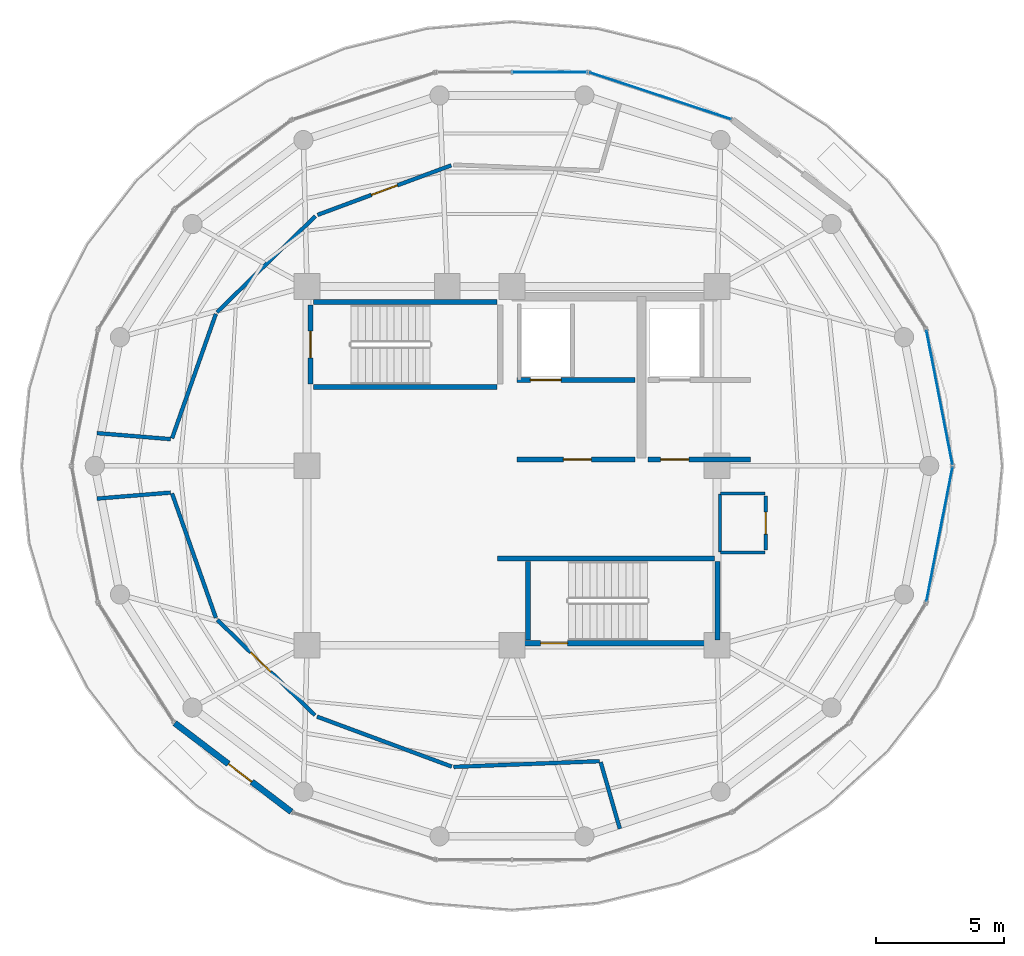
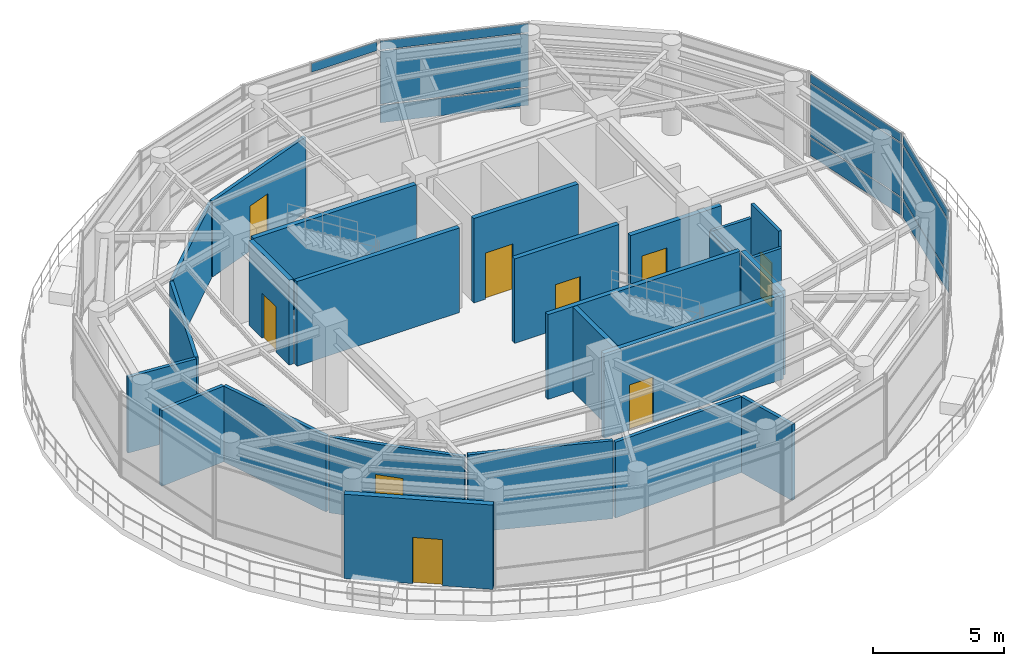
# One storey, part 17 of 20: 25 walls, 10 plates, 9 doors, 9 openings, 4 elements without a shape of their own.
"""IFC4 building model written with IfcOpenShell, lengths in metres."""

from ifc_helpers import new_model, si_unit, direction, frame, frame_2d, origin, origin_2d, place, context, subcontext, project, spatial, rectangle, extrude, source, transform, mapped, material, layer, layer_set, type_object, element, fill, aggregate, save


model = new_model("IFC4")

# Units and contexts
model_context = context("Model", 3, precision=1e-05, world=origin(), true_north=direction((0.0, 1.0)))
body_context = subcontext(model_context, "Body", "Model", "MODEL_VIEW")
ifc_project = project(units=[si_unit("LENGTHUNIT", "METRE"), si_unit("AREAUNIT", "SQUARE_METRE"), si_unit("VOLUMEUNIT", "CUBIC_METRE"), si_unit("PLANEANGLEUNIT", "RADIAN"), si_unit("MASSUNIT", "GRAM", prefix="KILO")], contexts=[model_context])

# Site, building, storey
site_placement = place(None, origin())
site = spatial("IfcSite", under=ifc_project, at=site_placement, CompositionType="ELEMENT")
building_placement = place(site_placement, origin())
building = spatial("IfcBuilding", under=site, at=building_placement, Name="Kelanora Arch Commons", CompositionType="ELEMENT")
storey_placement = place(building_placement, frame((0.0, 0.0, 298.5)))
storey = spatial("IfcBuildingStorey", under=building, at=storey_placement, Name="L76", CompositionType="ELEMENT", Elevation=298.5)

# Curtain wall, plate
ifc_material_1 = material(Name="Terracotta ceramic-fritted low-E glass and aluminium", Category="masonry")
ifc_layer_1 = layer(ifc_material_1, 0.14990234375)
ifc_layer_set_1 = layer_set([ifc_layer_1], Name="Terracotta ceramic-fritted low-E glass and aluminium")
curtain_wall_type = type_object("IfcCurtainWallType", Name="CW-SYS-06", PredefinedType="NOTDEFINED", material=ifc_layer_set_1)
curtain_wall_1_placement = place(storey_placement, origin())
curtain_wall_1 = element("IfcCurtainWall", 1, at=curtain_wall_1_placement, inside=storey, type_object=curtain_wall_type, Name="Unitised Curtain Wall L76-B00", PredefinedType="NOTDEFINED")
ifc_material_2 = material(Name="Terracotta ceramic-fritted double glazing", Category="masonry")
ifc_layer_2 = layer(ifc_material_2, 0.028076171875)
ifc_layer_set_2 = layer_set([ifc_layer_2], Name="Terracotta ceramic-fritted double glazing")
plate_type = type_object("IfcPlateType", Name="CWP-FRIT", PredefinedType="CURTAIN_PANEL", material=ifc_layer_set_2)
shared_shape_1 = source(origin(), body_context, "Body", "SweptSolid", [
    extrude(rectangle(XDim=5.285400390625, YDim=0.028076171875, at=origin_2d()), origin(), (0.0, 0.0, 1.0), 0.81005859375),
])
plate_1_placement = place(storey_placement, frame((90.681396484375, 60.667724609375, 0.06005859375), z_axis=(0.0, 0.0, 1.0), x_axis=(-0.190826579571, 0.981623765263, 0.0)))
plate_1 = element("IfcPlate", 2, at=plate_1_placement, type_object=plate_type, Name="CW-06 panel 1.1", PredefinedType="CURTAIN_PANEL", context=body_context, shape_type="MappedRepresentation", body=[
    mapped(shared_shape_1, transform((0.0, 0.0, 0.0), scale=1.0)),
])

curtain_wall_2_placement = place(storey_placement, origin())
curtain_wall_2 = element("IfcCurtainWall", 3, at=curtain_wall_2_placement, inside=storey, type_object=curtain_wall_type, Name="Unitised Curtain Wall L76-B17", PredefinedType="NOTDEFINED")
plate_2_placement = place(storey_placement, frame((90.681396484375, 55.332275390625, 0.06005859375), z_axis=(0.0, 0.0, 1.0), x_axis=(0.190826579571, 0.981623765263, 0.0)))
plate_2 = element("IfcPlate", 4, at=plate_2_placement, type_object=plate_type, Name="CW-06 panel 1.1", PredefinedType="CURTAIN_PANEL", context=body_context, shape_type="MappedRepresentation", body=[
    mapped(shared_shape_1, transform((0.0, 0.0, 0.0), scale=1.0)),
])

# Plate
shared_shape_2 = source(origin(), body_context, "Body", "SweptSolid", [
    extrude(rectangle(XDim=5.285400390625, YDim=0.028076171875, at=origin_2d()), origin(), (0.0, 0.0, 1.0), 2.465087890625),
])
plate_3_placement = place(storey_placement, frame((90.681396484375, 60.667724609375, 0.93017578125), z_axis=(0.0, 0.0, 1.0), x_axis=(-0.190826579571, 0.981623765263, 0.0)))
plate_3 = element("IfcPlate", 5, at=plate_3_placement, type_object=plate_type, Name="CW-06 panel 1.2", PredefinedType="CURTAIN_PANEL", context=body_context, shape_type="MappedRepresentation", body=[
    mapped(shared_shape_2, transform((0.0, 0.0, 0.0), scale=1.0)),
])

plate_4_placement = place(storey_placement, frame((90.681396484375, 55.332275390625, 0.93017578125), z_axis=(0.0, 0.0, 1.0), x_axis=(0.190826579571, 0.981623765263, 0.0)))
plate_4 = element("IfcPlate", 6, at=plate_4_placement, type_object=plate_type, Name="CW-06 panel 1.2", PredefinedType="CURTAIN_PANEL", context=body_context, shape_type="MappedRepresentation", body=[
    mapped(shared_shape_2, transform((0.0, 0.0, 0.0), scale=1.0)),
])

shared_shape_3 = source(origin(), body_context, "Body", "SweptSolid", [
    extrude(rectangle(XDim=5.285400390625, YDim=0.028076171875, at=origin_2d()), origin(), (0.0, 0.0, 1.0), 0.409912109375),
])
plate_5_placement = place(storey_placement, frame((90.681396484375, 60.667724609375, 3.455078125), z_axis=(0.0, 0.0, 1.0), x_axis=(-0.190826579571, 0.981623765263, 0.0)))
plate_5 = element("IfcPlate", 7, at=plate_5_placement, type_object=plate_type, Name="CW-06 panel 1.3", PredefinedType="CURTAIN_PANEL", context=body_context, shape_type="MappedRepresentation", body=[
    mapped(shared_shape_3, transform((0.0, 0.0, 0.0), scale=1.0)),
])

aggregate(curtain_wall_1, [plate_1, plate_3, plate_5])

plate_6_placement = place(storey_placement, frame((90.681396484375, 55.332275390625, 3.455078125), z_axis=(0.0, 0.0, 1.0), x_axis=(0.190826579571, 0.981623765263, 0.0)))
plate_6 = element("IfcPlate", 8, at=plate_6_placement, type_object=plate_type, Name="CW-06 panel 1.3", PredefinedType="CURTAIN_PANEL", context=body_context, shape_type="MappedRepresentation", body=[
    mapped(shared_shape_3, transform((0.0, 0.0, 0.0), scale=1.0)),
])

aggregate(curtain_wall_2, [plate_2, plate_4, plate_6])

# Curtain wall, plates
curtain_wall_3_placement = place(storey_placement, origin())
curtain_wall_3 = element("IfcCurtainWall", 9, at=curtain_wall_3_placement, inside=storey, type_object=curtain_wall_type, Name="Unitised Curtain Wall L76-B03", PredefinedType="NOTDEFINED")
shared_shape_4 = source(origin(), body_context, "Body", "SweptSolid", [
    extrude(rectangle(XDim=5.76123046875, YDim=0.028076171875, at=origin_2d()), origin(), (0.0, 0.0, 1.0), 0.81005859375),
])
plate_7_placement = place(storey_placement, frame((79.79345703125, 72.4365234375, 0.06005859375), z_axis=(0.0, 0.0, 1.0), x_axis=(-0.949599145368, 0.313466845323, 0.0)))
plate_7 = element("IfcPlate", 10, at=plate_7_placement, type_object=plate_type, Name="CW-06 panel 1.1", PredefinedType="CURTAIN_PANEL", context=body_context, shape_type="MappedRepresentation", body=[
    mapped(shared_shape_4, transform((0.0, 0.0, 0.0), scale=1.0)),
])
shared_shape_5 = source(origin(), body_context, "Body", "SweptSolid", [
    extrude(rectangle(XDim=5.76123046875, YDim=0.028076171875, at=origin_2d()), origin(), (0.0, 0.0, 1.0), 2.465087890625),
])
plate_8_placement = place(storey_placement, frame((79.79345703125, 72.4365234375, 0.93017578125), z_axis=(0.0, 0.0, 1.0), x_axis=(-0.949599145368, 0.313466845323, 0.0)))
plate_8 = element("IfcPlate", 11, at=plate_8_placement, type_object=plate_type, Name="CW-06 panel 1.2", PredefinedType="CURTAIN_PANEL", context=body_context, shape_type="MappedRepresentation", body=[
    mapped(shared_shape_5, transform((0.0, 0.0, 0.0), scale=1.0)),
])
shared_shape_6 = source(origin(), body_context, "Body", "SweptSolid", [
    extrude(rectangle(XDim=5.76123046875, YDim=0.028076171875, at=origin_2d()), origin(), (0.0, 0.0, 1.0), 0.409912109375),
])
plate_9_placement = place(storey_placement, frame((79.79345703125, 72.4365234375, 3.455078125), z_axis=(0.0, 0.0, 1.0), x_axis=(-0.949599145368, 0.313466845323, 0.0)))
plate_9 = element("IfcPlate", 12, at=plate_9_placement, type_object=plate_type, Name="CW-06 panel 1.3", PredefinedType="CURTAIN_PANEL", context=body_context, shape_type="MappedRepresentation", body=[
    mapped(shared_shape_6, transform((0.0, 0.0, 0.0), scale=1.0)),
])
aggregate(curtain_wall_3, [plate_7, plate_8, plate_9])

# Curtain wall, plate
curtain_wall_4_placement = place(storey_placement, origin())
curtain_wall_4 = element("IfcCurtainWall", 13, at=curtain_wall_4_placement, inside=storey, type_object=curtain_wall_type, Name="Unitised Curtain Wall L76-B04", PredefinedType="NOTDEFINED")
shared_shape_7 = source(origin(), body_context, "Body", "SweptSolid", [
    extrude(rectangle(XDim=2.881591796875, YDim=0.028076171875, at=origin_2d()), origin(), (0.0, 0.0, 1.0), 0.409912109375),
])
plate_10_placement = place(storey_placement, frame((75.470947265625, 73.363037109375, 3.455078125), z_axis=(0.0, 0.0, 1.0), x_axis=(-1.0, 0.0, 0.0)))
plate_10 = element("IfcPlate", 14, at=plate_10_placement, type_object=plate_type, Name="CW-06 panel 1.3", PredefinedType="CURTAIN_PANEL", context=body_context, shape_type="MappedRepresentation", body=[
    mapped(shared_shape_7, transform((0.0, 0.0, 0.0), scale=1.0)),
])
aggregate(curtain_wall_4, [plate_10])

# Wall, opening, door
ifc_material_3 = material(Name="Autoclaved aerated concrete blockwork with fire plaster", Category="masonry")
ifc_layer_3 = layer(ifc_material_3, 0.14990234375)
ifc_layer_set_3 = layer_set([ifc_layer_3], Name="Autoclaved aerated concrete blockwork with fire plaster")
wall_type_1 = type_object("IfcWallType", Name="W-COMP-150", PredefinedType="PARTITIONING", material=ifc_layer_set_3)
wall_1_placement = place(storey_placement, frame((71.628662109375, 69.72802734375, 0.0), z_axis=(0.0, 0.0, 1.0), x_axis=(-0.937610047719, -0.34768865155, 0.0)))
wall_1 = element("IfcWall", 15, at=wall_1_placement, inside=storey, type_object=wall_type_1, Name="Crown Chiller and Cooling Tower Plant Room L76 Entry Partition", PredefinedType="PARTITIONING", context=body_context, shape_type="SweptSolid", body=[
    extrude(rectangle(XDim=5.5654296875, YDim=0.14990234375, at=frame_2d((2.78271484375, 0.0))), origin(), (0.0, 0.0, 1.0), 3.52490234375),
])
opening_1_placement = place(wall_1_placement, frame((2.242919921875, 0.0, 0.0)))
opening_1 = element("IfcOpeningElement", 16, at=opening_1_placement, cuts=wall_1, Name="Opening D-PLT1", PredefinedType="OPENING", context=body_context, shape_type="SweptSolid", body=[
    extrude(rectangle(XDim=1.080078125, YDim=2.10009765625, at=frame_2d((0.5400390625, 1.050048828125))), frame((0.0, 0.0849609375, 0.0), z_axis=(0.0, -1.0, 0.0), x_axis=(1.0, 0.0, 0.0)), (0.0, 0.0, 1.0), 0.169921875),
])
ifc_material_4 = material(Name="Galvanised steel plant and riser fire door", Category="steel")
door_type_1 = type_object("IfcDoorType", Name="D-PLT-110", OperationType="NOTDEFINED", PredefinedType="DOOR", material=ifc_material_4)
door_1_placement = place(opening_1_placement, origin())
door_1 = element("IfcDoor", 17, at=door_1_placement, inside=storey, type_object=door_type_1, Name="Crown Chiller and Cooling Tower Plant Room L76 Door", OperationType="SINGLE_SWING_RIGHT", OverallHeight=2.10009765625, OverallWidth=1.080078125, PredefinedType="DOOR", context=body_context, shape_type="SweptSolid", body=[
    extrude(rectangle(XDim=1.080078125, YDim=2.10009765625, at=frame_2d((0.5400390625, 1.050048828125))), frame((0.0, 0.02490234375, 0.0), z_axis=(0.0, -1.0, 0.0), x_axis=(1.0, 0.0, 0.0)), (0.0, 0.0, 1.0), 0.050048828125),
])
fill(opening_1, door_1)

wall_2_placement = place(storey_placement, frame((62.498779296875, 51.9931640625, 0.0), z_axis=(0.0, 0.0, 1.0), x_axis=(0.71541878573, -0.698695900249, 0.0)))
wall_2 = element("IfcWall", 18, at=wall_2_placement, inside=storey, type_object=wall_type_1, Name="Broadcast Transmitter and Machine Plant Room L76 Entry Partition", PredefinedType="PARTITIONING", context=body_context, shape_type="SweptSolid", body=[
    extrude(rectangle(XDim=5.32861328125, YDim=0.14990234375, at=frame_2d((2.664306640625, 0.0))), origin(), (0.0, 0.0, 1.0), 3.52490234375),
])
opening_2_placement = place(wall_2_placement, frame((1.823974609375, 0.0, 0.0)))
opening_2 = element("IfcOpeningElement", 19, at=opening_2_placement, cuts=wall_2, Name="Opening D-PLT1", PredefinedType="OPENING", context=body_context, shape_type="SweptSolid", body=[
    extrude(rectangle(XDim=1.080078125, YDim=2.10009765625, at=frame_2d((0.5400390625, 1.050048828125))), frame((0.0, 0.0849609375, 0.0), z_axis=(0.0, -1.0, 0.0), x_axis=(1.0, 0.0, 0.0)), (0.0, 0.0, 1.0), 0.169921875),
])
door_2_placement = place(opening_2_placement, origin())
door_2 = element("IfcDoor", 20, at=door_2_placement, inside=storey, type_object=door_type_1, Name="Broadcast Transmitter and Machine Plant Room L76 Door", OperationType="SINGLE_SWING_LEFT", OverallHeight=2.10009765625, OverallWidth=1.080078125, PredefinedType="DOOR", context=body_context, shape_type="SweptSolid", body=[
    extrude(rectangle(XDim=1.080078125, YDim=2.10009765625, at=frame_2d((0.5400390625, 1.050048828125))), frame((0.0, 0.02490234375, 0.0), z_axis=(0.0, -1.0, 0.0), x_axis=(1.0, 0.0, 0.0)), (0.0, 0.0, 1.0), 0.050048828125),
])
fill(opening_2, door_2)

# Walls
wall_3_placement = place(storey_placement, frame((66.325439453125, 67.744140625, 0.0), z_axis=(0.0, 0.0, 1.0), x_axis=(-0.715402081333, -0.698713004047, 0.0)))
element("IfcWall", 21, at=wall_3_placement, inside=storey, type_object=wall_type_1, Name="Crown Chiller and Cooling Tower Plant Room L76 Enclosure Partition 3", PredefinedType="PARTITIONING", context=body_context, shape_type="SweptSolid", body=[
    extrude(rectangle(XDim=5.36865234375, YDim=0.14990234375, at=frame_2d((2.684326171875, 0.0))), origin(), (0.0, 0.0, 1.0), 3.52490234375),
])
wall_4_placement = place(storey_placement, frame((62.442626953125, 63.92724609375, 0.0), z_axis=(0.0, 0.0, 1.0), x_axis=(-0.332236382146, -0.943196154773, 0.0)))
element("IfcWall", 22, at=wall_4_placement, inside=storey, type_object=wall_type_1, Name="Crown Chiller and Cooling Tower Plant Room L76 Enclosure Partition 4", PredefinedType="PARTITIONING", context=body_context, shape_type="SweptSolid", body=[
    extrude(rectangle(XDim=5.1416015625, YDim=0.14990234375, at=frame_2d((2.57080078125, 0.0))), origin(), (0.0, 0.0, 1.0), 3.52490234375),
])
wall_5_placement = place(storey_placement, frame((60.68115234375, 59.043212890625, 0.0), z_axis=(0.0, 0.0, 1.0), x_axis=(-0.996696214814, 0.081219796696, 0.0)))
element("IfcWall", 23, at=wall_5_placement, inside=storey, type_object=wall_type_1, Name="Crown Chiller and Cooling Tower Plant Room L76 Enclosure Partition 5", PredefinedType="PARTITIONING", context=body_context, shape_type="SweptSolid", body=[
    extrude(rectangle(XDim=2.888671875, YDim=0.14990234375, at=frame_2d((1.4443359375, 0.0))), origin(), (0.0, 0.0, 1.0), 3.52490234375),
])
wall_6_placement = place(storey_placement, frame((60.734375, 56.92236328125, 0.0), z_axis=(0.0, 0.0, 1.0), x_axis=(0.332236382146, -0.943196154773, 0.0)))
element("IfcWall", 24, at=wall_6_placement, inside=storey, type_object=wall_type_1, Name="Broadcast Transmitter and Machine Plant Room L76 Enclosure Partition 1", PredefinedType="PARTITIONING", context=body_context, shape_type="SweptSolid", body=[
    extrude(rectangle(XDim=5.1416015625, YDim=0.14990234375, at=frame_2d((2.57080078125, 0.0))), origin(), (0.0, 0.0, 1.0), 3.52490234375),
])
wall_7_placement = place(storey_placement, frame((66.3916015625, 48.214111328125, 0.0), z_axis=(0.0, 0.0, 1.0), x_axis=(0.937597367655, -0.347722843894, 0.0)))
element("IfcWall", 25, at=wall_7_placement, inside=storey, type_object=wall_type_1, Name="Broadcast Transmitter and Machine Plant Room L76 Enclosure Partition 3", PredefinedType="PARTITIONING", context=body_context, shape_type="SweptSolid", body=[
    extrude(rectangle(XDim=5.605712890625, YDim=0.14990234375, at=frame_2d((2.802734375, 0.0))), origin(), (0.0, 0.0, 1.0), 3.625),
])
wall_8_placement = place(storey_placement, frame((71.72509765625, 46.252685546875, 0.0), z_axis=(0.0, 0.0, 1.0), x_axis=(0.999233860457, 0.03913683834, 0.0)))
element("IfcWall", 26, at=wall_8_placement, inside=storey, type_object=wall_type_1, Name="Broadcast Transmitter and Machine Plant Room L76 Enclosure Partition 4", PredefinedType="PARTITIONING", context=body_context, shape_type="SweptSolid", body=[
    extrude(rectangle(XDim=5.689208984375, YDim=0.14990234375, at=frame_2d((2.8447265625, 0.0))), origin(), (0.0, 0.0, 1.0), 3.52490234375),
])
wall_9_placement = place(storey_placement, frame((77.4609375, 46.438720703125, 0.0), z_axis=(0.0, 0.0, 1.0), x_axis=(0.276223004297, -0.961093570833, 0.0)))
element("IfcWall", 27, at=wall_9_placement, inside=storey, type_object=wall_type_1, Name="Broadcast Transmitter and Machine Plant Room L76 Enclosure Partition 5", PredefinedType="PARTITIONING", context=body_context, shape_type="SweptSolid", body=[
    extrude(rectangle(XDim=2.70458984375, YDim=0.14990234375, at=frame_2d((1.352294921875, 0.0))), origin(), (0.0, 0.0, 1.0), 3.52490234375),
])
wall_10_placement = place(storey_placement, frame((57.802001953125, 56.72216796875, 0.0), z_axis=(0.0, 0.0, 1.0), x_axis=(0.996696214814, 0.081219796696, 0.0)))
element("IfcWall", 28, at=wall_10_placement, inside=storey, type_object=wall_type_1, Name="Broadcast Transmitter and Machine Plant Room L76 Enclosure Partition 10", PredefinedType="PARTITIONING", context=body_context, shape_type="SweptSolid", body=[
    extrude(rectangle(XDim=2.888671875, YDim=0.14990234375, at=frame_2d((1.4443359375, 0.0))), origin(), (0.0, 0.0, 1.0), 3.52490234375),
])

# Wall, opening, door
ifc_material_5 = material(Name="Precast concrete C40/50 upper-zone terracotta rainscreen", Category="masonry")
ifc_layer_4 = layer(ifc_material_5, 0.239990234375)
ifc_layer_set_4 = layer_set([ifc_layer_4], Name="Precast concrete C40/50 upper-zone terracotta rainscreen")
wall_type_2 = type_object("IfcWallType", Name="W-EXT-TC2", PredefinedType="SOLIDWALL", material=ifc_layer_set_4)
wall_11_placement = place(storey_placement, frame((60.8359375, 47.96337890625, 0.0), z_axis=(0.0, 0.0, 1.0), x_axis=(0.795770568915, -0.605598218004, 0.0)))
wall_11 = element("IfcWall", 29, at=wall_11_placement, inside=storey, type_object=wall_type_2, Name="Terracotta Exterior Wall L76-B11", PredefinedType="SOLIDWALL", context=body_context, shape_type="SweptSolid", body=[
    extrude(rectangle(XDim=5.720458984375, YDim=0.239990234375, at=frame_2d((2.8603515625, 0.0))), origin(), (0.0, 0.0, 1.0), 3.925048828125),
])
opening_3_placement = place(wall_11_placement, frame((2.635009765625, 0.0, 0.0)))
opening_3 = element("IfcOpeningElement", 30, at=opening_3_placement, cuts=wall_11, Name="Opening DT-01", PredefinedType="OPENING", context=body_context, shape_type="SweptSolid", body=[
    extrude(rectangle(XDim=1.14990234375, YDim=2.14990234375, at=frame_2d((0.574951171875, 1.074951171875))), frame((0.0, 0.1298828125, 0.0), z_axis=(0.0, -1.0, 0.0), x_axis=(1.0, 0.0, 0.0)), (0.0, 0.0, 1.0), 0.260009765625),
])
ifc_material_6 = material(Name="Weather-sealed aluminium terrace door", Category="aluminium")
door_type_2 = type_object("IfcDoorType", Name="D-TERR-12", OperationType="NOTDEFINED", PredefinedType="DOOR", material=ifc_material_6)
door_3_placement = place(opening_3_placement, frame((1.14990234375, 0.0, 0.0), z_axis=(0.0, 0.0, 1.0), x_axis=(-1.0, 0.0, 0.0)))
door_3 = element("IfcDoor", 31, at=door_3_placement, inside=storey, type_object=door_type_2, Name="Sky-Terrace Access Door L76-B11", OperationType="SINGLE_SWING_RIGHT", OverallHeight=2.14990234375, OverallWidth=1.14990234375, PredefinedType="DOOR", context=body_context, shape_type="SweptSolid", body=[
    extrude(rectangle(XDim=1.14990234375, YDim=2.14990234375, at=frame_2d((0.574951171875, 1.074951171875))), frame((0.0, 0.02490234375, 0.0), z_axis=(0.0, -1.0, 0.0), x_axis=(1.0, 0.0, 0.0)), (0.0, 0.0, 1.0), 0.050048828125),
])
fill(opening_3, door_3)

ifc_material_7 = material(Name="Concrete C40/50", Category="concrete")
ifc_layer_5 = layer(ifc_material_7, 0.199951171875)
ifc_layer_set_5 = layer_set([ifc_layer_5], Name="Concrete C40/50")
wall_type_3 = type_object("IfcWallType", Name="W-FFL-200", PredefinedType="SOLIDWALL", material=ifc_layer_set_5)
wall_12_placement = place(storey_placement, frame((74.199951171875, 61.35009765625, 0.0), z_axis=(0.0, 0.0, 1.0), x_axis=(1.0, 0.0, 0.0)))
wall_12 = element("IfcWall", 32, at=wall_12_placement, inside=storey, type_object=wall_type_3, Name="Firefighting Lift 1 Shaft Front L76", PredefinedType="SOLIDWALL", context=body_context, shape_type="SweptSolid", body=[
    extrude(rectangle(XDim=4.60009765625, YDim=0.199951171875, at=frame_2d((2.300048828125, 0.0))), origin(), (0.0, 0.0, 1.0), 3.929931640625),
])
opening_4_placement = place(wall_12_placement, frame((0.52001953125, 0.0, 0.0)))
opening_4 = element("IfcOpeningElement", 33, at=opening_4_placement, cuts=wall_12, Name="Opening LD-FF", PredefinedType="OPENING", context=body_context, shape_type="SweptSolid", body=[
    extrude(rectangle(XDim=1.199951171875, YDim=2.14990234375, at=frame_2d((0.60009765625, 1.074951171875))), frame((0.0, 0.10986328125, 0.0), z_axis=(0.0, -1.0, 0.0), x_axis=(1.0, 0.0, 0.0)), (0.0, 0.0, 1.0), 0.219970703125),
])
ifc_material_8 = material(Name="Fire-rated firefighters lift sliding landing door")
door_type_3 = type_object("IfcDoorType", Name="D-LIFT-FF", OperationType="NOTDEFINED", PredefinedType="DOOR", material=ifc_material_8)
door_4_placement = place(opening_4_placement, origin())
door_4 = element("IfcDoor", 34, at=door_4_placement, inside=storey, type_object=door_type_3, Name="Firefighting Lift LF-FF1 Landing Door L76", OperationType="DOUBLE_DOOR_SLIDING", OverallHeight=2.14990234375, OverallWidth=1.199951171875, PredefinedType="DOOR", context=body_context, shape_type="SweptSolid", body=[
    extrude(rectangle(XDim=1.199951171875, YDim=2.14990234375, at=frame_2d((0.60009765625, 1.074951171875))), frame((0.0, 0.02490234375, 0.0), z_axis=(0.0, -1.0, 0.0), x_axis=(1.0, 0.0, 0.0)), (0.0, 0.0, 1.0), 0.050048828125),
])
fill(opening_4, door_4)

wall_13_placement = place(storey_placement, frame((74.199951171875, 58.25, 0.0), z_axis=(0.0, 0.0, 1.0), x_axis=(1.0, 0.0, 0.0)))
wall_13 = element("IfcWall", 35, at=wall_13_placement, inside=storey, type_object=wall_type_3, Name="Firefighting Lobby 1 Enclosure Wall L76", PredefinedType="SOLIDWALL", context=body_context, shape_type="SweptSolid", body=[
    extrude(rectangle(XDim=4.60009765625, YDim=0.199951171875, at=frame_2d((2.300048828125, 0.0))), origin(), (0.0, 0.0, 1.0), 3.929931640625),
])
opening_5_placement = place(wall_13_placement, frame((1.800048828125, 0.0, 0.0)))
opening_5 = element("IfcOpeningElement", 36, at=opening_5_placement, cuts=wall_13, Name="Opening D-FFL1", PredefinedType="OPENING", context=body_context, shape_type="SweptSolid", body=[
    extrude(rectangle(XDim=1.10009765625, YDim=2.10009765625, at=frame_2d((0.550048828125, 1.050048828125))), frame((0.0, 0.10986328125, 0.0), z_axis=(0.0, -1.0, 0.0), x_axis=(1.0, 0.0, 0.0)), (0.0, 0.0, 1.0), 0.219970703125),
])
ifc_material_9 = material(Name="Smoke-sealed firefighting lobby fire door")
door_type_4 = type_object("IfcDoorType", Name="D-FFL-110", OperationType="NOTDEFINED", PredefinedType="DOOR", material=ifc_material_9)
door_5_placement = place(opening_5_placement, frame((1.10009765625, 0.0, 0.0), z_axis=(0.0, 0.0, 1.0), x_axis=(-1.0, 0.0, 0.0)))
door_5 = element("IfcDoor", 37, at=door_5_placement, inside=storey, type_object=door_type_4, Name="Firefighting Lobby 1 Door L76", OperationType="SINGLE_SWING_LEFT", OverallHeight=2.10009765625, OverallWidth=1.10009765625, PredefinedType="DOOR", context=body_context, shape_type="SweptSolid", body=[
    extrude(rectangle(XDim=1.10009765625, YDim=2.10009765625, at=frame_2d((0.550048828125, 1.050048828125))), frame((0.0, 0.02490234375, 0.0), z_axis=(0.0, -1.0, 0.0), x_axis=(1.0, 0.0, 0.0)), (0.0, 0.0, 1.0), 0.050048828125),
])
fill(opening_5, door_5)

wall_14_placement = place(storey_placement, frame((79.300048828125, 58.25, 0.0), z_axis=(0.0, 0.0, 1.0), x_axis=(1.0, 0.0, 0.0)))
wall_14 = element("IfcWall", 38, at=wall_14_placement, inside=storey, type_object=wall_type_3, Name="Firefighting Lobby 2 Enclosure Wall L76", PredefinedType="SOLIDWALL", context=body_context, shape_type="SweptSolid", body=[
    extrude(rectangle(XDim=4.0, YDim=0.199951171875, at=frame_2d((2.0, 0.0))), origin(), (0.0, 0.0, 1.0), 3.22509765625),
])
opening_6_placement = place(wall_14_placement, frame((0.5, 0.0, 0.0)))
opening_6 = element("IfcOpeningElement", 39, at=opening_6_placement, cuts=wall_14, Name="Opening D-FFL1", PredefinedType="OPENING", context=body_context, shape_type="SweptSolid", body=[
    extrude(rectangle(XDim=1.10009765625, YDim=2.10009765625, at=frame_2d((0.550048828125, 1.050048828125))), frame((0.0, 0.10986328125, 0.0), z_axis=(0.0, -1.0, 0.0), x_axis=(1.0, 0.0, 0.0)), (0.0, 0.0, 1.0), 0.219970703125),
])
door_6_placement = place(opening_6_placement, frame((1.10009765625, 0.0, 0.0), z_axis=(0.0, 0.0, 1.0), x_axis=(-1.0, 0.0, 0.0)))
door_6 = element("IfcDoor", 40, at=door_6_placement, inside=storey, type_object=door_type_4, Name="Firefighting Lobby 2 Door L76", OperationType="SINGLE_SWING_RIGHT", OverallHeight=2.10009765625, OverallWidth=1.10009765625, PredefinedType="DOOR", context=body_context, shape_type="SweptSolid", body=[
    extrude(rectangle(XDim=1.10009765625, YDim=2.10009765625, at=frame_2d((0.550048828125, 1.050048828125))), frame((0.0, 0.02490234375, 0.0), z_axis=(0.0, -1.0, 0.0), x_axis=(1.0, 0.0, 0.0)), (0.0, 0.0, 1.0), 0.050048828125),
])
fill(opening_6, door_6)

# Walls
ifc_layer_6 = layer(ifc_material_7, 0.199951171875)
ifc_layer_set_6 = layer_set([ifc_layer_6], Name="Concrete C40/50")
wall_type_4 = type_object("IfcWallType", Name="W-STAIR-200", PredefinedType="SHEAR", material=ifc_layer_set_6)
for number, where, z_axis, x_axis, name in (
    (41, (66.260009765625, 61.080078125, 0.0), (0.0, 0.0, 1.0), (1.0, 0.0, 0.0), "Stair ST-T1 Shaft Wall S L76"),
    (42, (73.419921875, 64.389892578125, 0.0), (0.0, 0.0, 1.0), (-1.0, 0.0, 0.0), "Stair ST-T1 Shaft Wall N L76"),
):
    element("IfcWall", number, at=place(storey_placement, frame(where, z_axis=z_axis, x_axis=x_axis)), inside=storey, type_object=wall_type_4, Name=name, PredefinedType="SHEAR", context=body_context, shape_type="SweptSolid", body=[
        extrude(rectangle(XDim=7.159912109375, YDim=0.199951171875, at=frame_2d((3.580078125, 0.0))), origin(), (0.0, 0.0, 1.0), 3.93994140625),
    ])

# Wall, opening, door
wall_15_placement = place(storey_placement, frame((66.139892578125, 64.27001953125, 0.0), z_axis=(0.0, 0.0, 1.0), x_axis=(0.0, -1.0, 0.0)))
wall_15 = element("IfcWall", 43, at=wall_15_placement, inside=storey, type_object=wall_type_4, Name="Stair ST-T1 Shaft Wall W L76", PredefinedType="SHEAR", context=body_context, shape_type="SweptSolid", body=[
    extrude(rectangle(XDim=3.070068359375, YDim=0.199951171875, at=frame_2d((1.53515625, 0.0))), origin(), (0.0, 0.0, 1.0), 3.93994140625),
])
opening_7_placement = place(wall_15_placement, frame((1.010009765625, 0.0, 0.0)))
opening_7 = element("IfcOpeningElement", 44, at=opening_7_placement, cuts=wall_15, Name="Opening D-ST1", PredefinedType="OPENING", context=body_context, shape_type="SweptSolid", body=[
    extrude(rectangle(XDim=1.050048828125, YDim=2.10009765625, at=frame_2d((0.52490234375, 1.050048828125))), frame((0.0, 0.10986328125, 0.0), z_axis=(0.0, -1.0, 0.0), x_axis=(1.0, 0.0, 0.0)), (0.0, 0.0, 1.0), 0.219970703125),
])
ifc_material_10 = material(Name="Steel fire-rated stairwell escape door", Category="steel")
door_type_5 = type_object("IfcDoorType", Name="D-STAIR-110", OperationType="NOTDEFINED", PredefinedType="DOOR", material=ifc_material_10)
door_7_placement = place(opening_7_placement, origin())
door_7 = element("IfcDoor", 45, at=door_7_placement, inside=storey, type_object=door_type_5, Name="Stair ST-T1 Escape Door L76", OperationType="SINGLE_SWING_LEFT", OverallHeight=2.10009765625, OverallWidth=1.050048828125, PredefinedType="DOOR", context=body_context, shape_type="SweptSolid", body=[
    extrude(rectangle(XDim=1.050048828125, YDim=2.10009765625, at=frame_2d((0.52490234375, 1.050048828125))), frame((0.0, 0.02490234375, 0.0), z_axis=(0.0, -1.0, 0.0), x_axis=(1.0, 0.0, 0.0)), (0.0, 0.0, 1.0), 0.050048828125),
])
fill(opening_7, door_7)

wall_16_placement = place(storey_placement, frame((74.0, 51.080078125, 0.0), z_axis=(0.0, 0.0, 1.0), x_axis=(1.0, 0.0, 0.0)))
wall_16 = element("IfcWall", 46, at=wall_16_placement, inside=storey, type_object=wall_type_4, Name="Stair ST-T2 Shaft Wall S L76", PredefinedType="SHEAR", context=body_context, shape_type="SweptSolid", body=[
    extrude(rectangle(XDim=7.89990234375, YDim=0.199951171875, at=frame_2d((3.949951171875, 0.0))), origin(), (0.0, 0.0, 1.0), 3.93994140625),
])
opening_8_placement = place(wall_16_placement, frame((1.1201171875, 0.0, 0.0)))
opening_8 = element("IfcOpeningElement", 47, at=opening_8_placement, cuts=wall_16, Name="Opening D-ST1", PredefinedType="OPENING", context=body_context, shape_type="SweptSolid", body=[
    extrude(rectangle(XDim=1.050048828125, YDim=2.10009765625, at=frame_2d((0.52490234375, 1.050048828125))), frame((0.0, 0.10986328125, 0.0), z_axis=(0.0, -1.0, 0.0), x_axis=(1.0, 0.0, 0.0)), (0.0, 0.0, 1.0), 0.219970703125),
])
door_8_placement = place(opening_8_placement, origin())
door_8 = element("IfcDoor", 48, at=door_8_placement, inside=storey, type_object=door_type_5, Name="Stair ST-T2 Escape Door L76", OperationType="SINGLE_SWING_LEFT", OverallHeight=2.10009765625, OverallWidth=1.050048828125, PredefinedType="DOOR", context=body_context, shape_type="SweptSolid", body=[
    extrude(rectangle(XDim=1.050048828125, YDim=2.10009765625, at=frame_2d((0.52490234375, 1.050048828125))), frame((0.0, 0.02490234375, 0.0), z_axis=(0.0, -1.0, 0.0), x_axis=(1.0, 0.0, 0.0)), (0.0, 0.0, 1.0), 0.050048828125),
])
fill(opening_8, door_8)

# Walls
wall_17_placement = place(storey_placement, frame((82.02001953125, 51.199951171875, 0.0), z_axis=(0.0, 0.0, 1.0), x_axis=(0.0, 1.0, 0.0)))
element("IfcWall", 49, at=wall_17_placement, inside=storey, type_object=wall_type_4, Name="Stair ST-T2 Shaft Wall E L76", PredefinedType="SHEAR", context=body_context, shape_type="SweptSolid", body=[
    extrude(rectangle(XDim=3.070068359375, YDim=0.199951171875, at=frame_2d((1.53515625, 0.0))), origin(), (0.0, 0.0, 1.0), 3.93994140625),
])
wall_18_placement = place(storey_placement, frame((81.89990234375, 54.389892578125, 0.0), z_axis=(0.0, 0.0, 1.0), x_axis=(-1.0, 0.0, 0.0)))
element("IfcWall", 50, at=wall_18_placement, inside=storey, type_object=wall_type_4, Name="Stair ST-T2 Shaft Wall N L76", PredefinedType="SHEAR", context=body_context, shape_type="SweptSolid", body=[
    extrude(rectangle(XDim=8.4599609375, YDim=0.199951171875, at=frame_2d((4.22998046875, 0.0))), origin(), (0.0, 0.0, 1.0), 3.93994140625),
])
wall_19_placement = place(storey_placement, frame((74.6201171875, 54.27001953125, 0.0), z_axis=(0.0, 0.0, 1.0), x_axis=(0.0, -1.0, 0.0)))
element("IfcWall", 51, at=wall_19_placement, inside=storey, type_object=wall_type_4, Name="Stair ST-T2 Shaft Wall W L76", PredefinedType="SHEAR", context=body_context, shape_type="SweptSolid", body=[
    extrude(rectangle(XDim=3.070068359375, YDim=0.199951171875, at=frame_2d((1.53515625, 0.0))), origin(), (0.0, 0.0, 1.0), 3.93994140625),
])

# Wall, opening, door
ifc_material_11 = material(Name="Moisture-resistant fire-rated cement-board plumbing wall")
ifc_layer_7 = layer(ifc_material_11, 0.1298828125)
ifc_layer_set_7 = layer_set([ifc_layer_7], Name="Moisture-resistant fire-rated cement-board plumbing wall")
wall_type_5 = type_object("IfcWallType", Name="W-WET-120", PredefinedType="PLUMBINGWALL", material=ifc_layer_set_7)
wall_20_placement = place(storey_placement, frame((83.89990234375, 54.7099609375, 0.0), z_axis=(0.0, 0.0, 1.0), x_axis=(0.0, 1.0, 0.0)))
wall_20 = element("IfcWall", 52, at=wall_20_placement, inside=storey, type_object=wall_type_5, Name="Crown Maintenance Staff WC L76 Entry Partition", PredefinedType="PLUMBINGWALL", context=body_context, shape_type="SweptSolid", body=[
    extrude(rectangle(XDim=2.110107421875, YDim=0.1298828125, at=frame_2d((1.05517578125, 0.0))), origin(), (0.0, 0.0, 1.0), 3.929931640625),
])
opening_9_placement = place(wall_20_placement, frame((0.625, 0.0, 0.0)))
opening_9 = element("IfcOpeningElement", 53, at=opening_9_placement, cuts=wall_20, Name="Opening D-BT1", PredefinedType="OPENING", context=body_context, shape_type="SweptSolid", body=[
    extrude(rectangle(XDim=0.860107421875, YDim=2.050048828125, at=frame_2d((0.43017578125, 1.02490234375))), frame((0.0, 0.074951171875, 0.0), z_axis=(0.0, -1.0, 0.0), x_axis=(1.0, 0.0, 0.0)), (0.0, 0.0, 1.0), 0.14990234375),
])
ifc_material_12 = material(Name="Moisture-sealed fire-rated accessible bathroom door")
door_type_6 = type_object("IfcDoorType", Name="D-BATH-85", OperationType="NOTDEFINED", PredefinedType="DOOR", material=ifc_material_12)
door_9_placement = place(opening_9_placement, origin())
door_9 = element("IfcDoor", 54, at=door_9_placement, inside=storey, type_object=door_type_6, Name="Crown Maintenance Staff WC L76 Door", OperationType="SINGLE_SWING_RIGHT", OverallHeight=2.050048828125, OverallWidth=0.860107421875, PredefinedType="DOOR", context=body_context, shape_type="SweptSolid", body=[
    extrude(rectangle(XDim=0.860107421875, YDim=2.050048828125, at=frame_2d((0.43017578125, 1.02490234375))), frame((0.0, 0.02490234375, 0.0), z_axis=(0.0, -1.0, 0.0), x_axis=(1.0, 0.0, 0.0)), (0.0, 0.0, 1.0), 0.050048828125),
])
fill(opening_9, door_9)

# Walls
for number, where, z_axis, x_axis, name in (
    (55, (82.139892578125, 54.6201171875, 0.0), (0.0, 0.0, 1.0), (1.0, 0.0, 0.0), "Crown Maintenance Staff WC L76 Enclosure Partition 1"),
    (56, (83.8798828125, 56.919921875, 0.0), (0.0, 0.0, 1.0), (-1.0, 0.0, 0.0), "Crown Maintenance Staff WC L76 Enclosure Partition 3"),
):
    element("IfcWall", number, at=place(storey_placement, frame(where, z_axis=z_axis, x_axis=x_axis)), inside=storey, type_object=wall_type_5, Name=name, PredefinedType="PLUMBINGWALL", context=body_context, shape_type="SweptSolid", body=[
        extrude(rectangle(XDim=1.739990234375, YDim=0.1298828125, at=frame_2d((0.8701171875, 0.0))), origin(), (0.0, 0.0, 1.0), 3.22509765625),
    ])
wall_21_placement = place(storey_placement, frame((82.1201171875, 56.89990234375, 0.0), z_axis=(0.0, 0.0, 1.0), x_axis=(0.0, -1.0, 0.0)))
element("IfcWall", 57, at=wall_21_placement, inside=storey, type_object=wall_type_5, Name="Crown Maintenance Staff WC L76 Enclosure Partition 4", PredefinedType="PLUMBINGWALL", context=body_context, shape_type="SweptSolid", body=[
    extrude(rectangle(XDim=2.260009765625, YDim=0.1298828125, at=frame_2d((1.1298828125, 0.0))), origin(), (0.0, 0.0, 1.0), 3.22509765625),
])

save(model, "model.ifc")
